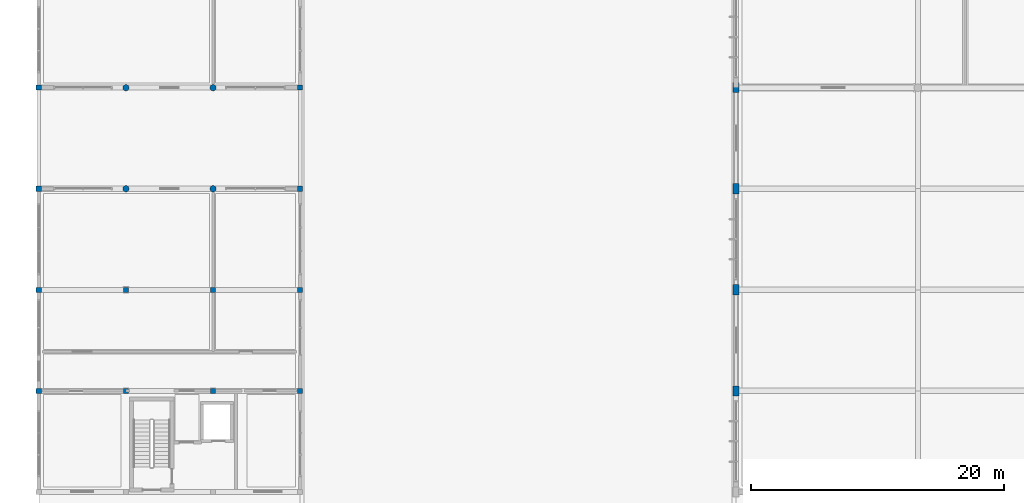
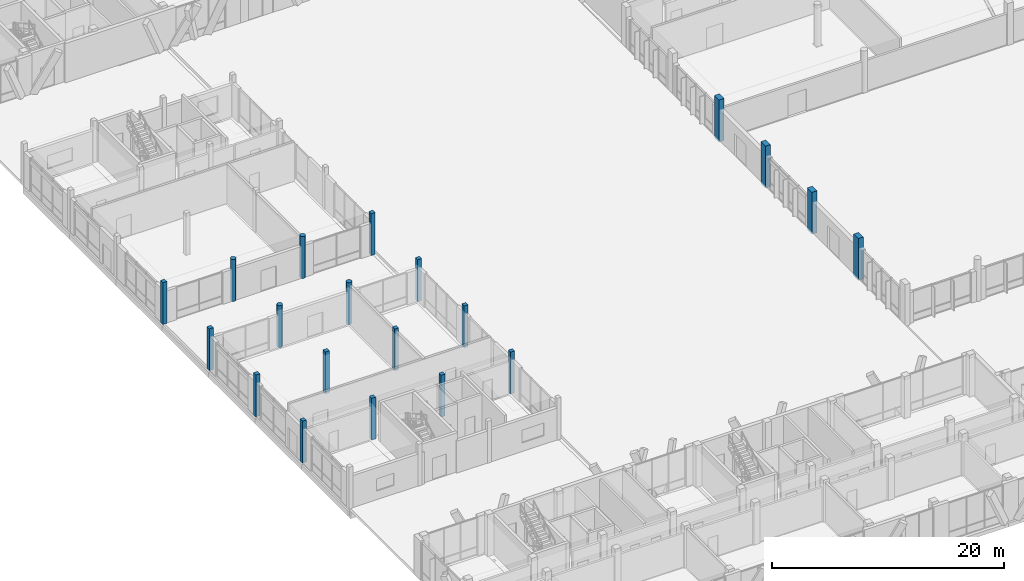
# One storey, part 3 of 233: 20 columns.
"""IFC4 building model written with IfcOpenShell, lengths in metres."""

from ifc_helpers import new_model, si_unit, direction, frame, origin, origin_2d, place, context, subcontext, project, spatial, rectangle, circle, extrude, material, material_profile, profile_set, type_object, element, save


model = new_model("IFC4")

# Units and contexts
model_context = context("Model", 3, precision=1e-05, world=origin(), true_north=direction((0.0, 1.0)))
body_context = subcontext(model_context, "Body", "Model", "MODEL_VIEW")
ifc_project = project(units=[si_unit("LENGTHUNIT", "METRE"), si_unit("AREAUNIT", "SQUARE_METRE"), si_unit("VOLUMEUNIT", "CUBIC_METRE"), si_unit("PLANEANGLEUNIT", "RADIAN"), si_unit("MASSUNIT", "GRAM", prefix="KILO")], contexts=[model_context])

# Site, building, storey
site_placement = place(None, origin())
site = spatial("IfcSite", under=ifc_project, at=site_placement, CompositionType="ELEMENT")
building_placement = place(site_placement, origin())
building = spatial("IfcBuilding", under=site, at=building_placement, Name="Zavelmont Quarter", CompositionType="ELEMENT")
storey_placement = place(building_placement, origin())
storey = spatial("IfcBuildingStorey", under=building, at=storey_placement, Name="L00", CompositionType="ELEMENT", Elevation=0.0)

# Columns
ifc_material_1 = material(Name="Concrete C35/45", Category="concrete")
ifc_material_profile_1 = material_profile(ifc_material_1, rectangle(XDim=0.39990234375, YDim=0.39990234375, at=origin_2d()), Name="RC400X400")
ifc_profile_set_1 = profile_set([ifc_material_profile_1], Name="Concrete C35/45")
column_type_1 = type_object("IfcColumnType", Name="CL05", PredefinedType="COLUMN", material=ifc_profile_set_1)
for number, where, z_axis, x_axis, name in (
    (1, (0.0, 38.0, 0.0), (0.0, 0.0, 1.0), (1.0, 0.0, 0.0), "L00 column CL05 at 1/G"),
    (2, (0.0, 46.0, 0.0), (0.0, 0.0, 1.0), (1.0, 0.0, 0.0), "L00 column CL05 at 1/H"),
    (3, (0.0, 54.0, 0.0), (0.0, 0.0, 1.0), (1.0, 0.0, 0.0), "L00 column CL05 at 1/J"),
    (4, (0.0, 62.0, 0.0), (0.0, 0.0, 1.0), (1.0, 0.0, 0.0), "L00 column CL05 at 1/K"),
    (5, (6.89990234375, 38.0, 0.0), (0.0, 0.0, 1.0), (1.0, 0.0, 0.0), "L00 column CL05 at 2/G"),
    (6, (6.89990234375, 46.0, 0.0), (0.0, 0.0, 1.0), (1.0, 0.0, 0.0), "L00 column CL05 at 2/H"),
    (7, (13.800048828125, 38.0, 0.0), (0.0, 0.0, 1.0), (1.0, 0.0, 0.0), "L00 column CL05 at 3/G"),
    (8, (13.800048828125, 46.0, 0.0), (0.0, 0.0, 1.0), (1.0, 0.0, 0.0), "L00 column CL05 at 3/H"),
    (9, (20.699951171875, 38.0, 0.0), (0.0, 0.0, 1.0), (1.0, 0.0, 0.0), "L00 column CL05 at 4/G"),
    (10, (20.699951171875, 46.0, 0.0), (0.0, 0.0, 1.0), (1.0, 0.0, 0.0), "L00 column CL05 at 4/H"),
    (11, (20.699951171875, 54.0, 0.0), (0.0, 0.0, 1.0), (1.0, 0.0, 0.0), "L00 column CL05 at 4/J"),
    (12, (20.699951171875, 62.0, 0.0), (0.0, 0.0, 1.0), (1.0, 0.0, 0.0), "L00 column CL05 at 4/K"),
):
    element("IfcColumn", number, at=place(storey_placement, frame(where, z_axis=z_axis, x_axis=x_axis)), inside=storey, type_object=column_type_1, Name=name, PredefinedType="COLUMN", context=body_context, shape_type="SweptSolid", body=[
        extrude(rectangle(XDim=0.39990234375, YDim=0.39990234375, at=origin_2d()), origin(), (0.0, 0.0, 1.0), 4.39990234375),
    ])
ifc_material_2 = material(Name="Concrete C40/50", Category="concrete")
ifc_material_profile_2 = material_profile(ifc_material_2, rectangle(XDim=0.5, YDim=0.800048828125, at=origin_2d()), Name="RC500X800")
ifc_profile_set_2 = profile_set([ifc_material_profile_2], Name="Concrete C40/50")
column_type_2 = type_object("IfcColumnType", Name="CL07", PredefinedType="COLUMN", material=ifc_profile_set_2)
for number, where, z_axis, x_axis, name in (
    (13, (55.199951171875, 38.0, 0.0), (0.0, 0.0, 1.0), (1.0, 0.0, 0.0), "L00 column CL07 at 9/G"),
    (14, (55.199951171875, 46.0, 0.0), (0.0, 0.0, 1.0), (1.0, 0.0, 0.0), "L00 column CL07 at 9/H"),
    (15, (55.199951171875, 54.0, 0.0), (0.0, 0.0, 1.0), (1.0, 0.0, 0.0), "L00 column CL07 at 9/J"),
    (16, (55.199951171875, 62.0, 0.0), (0.0, 0.0, 1.0), (1.0, 0.0, 0.0), "L00 column CL07 at 9/K"),
):
    element("IfcColumn", number, at=place(storey_placement, frame(where, z_axis=z_axis, x_axis=x_axis)), inside=storey, type_object=column_type_2, Name=name, PredefinedType="COLUMN", context=body_context, shape_type="SweptSolid", body=[
        extrude(rectangle(XDim=0.5, YDim=0.800048828125, at=origin_2d()), origin(), (0.0, 0.0, 1.0), 4.39990234375),
    ])
ifc_material_profile_3 = material_profile(ifc_material_1, circle(Radius=0.25, at=origin_2d()), Name="CHD500")
ifc_profile_set_3 = profile_set([ifc_material_profile_3], Name="Concrete C35/45")
column_type_3 = type_object("IfcColumnType", Name="CL09", PredefinedType="COLUMN", material=ifc_profile_set_3)
for number, where, z_axis, x_axis, name in (
    (17, (6.89990234375, 54.0, 0.0), (0.0, 0.0, 1.0), (1.0, 0.0, 0.0), "L00 column CL09 at 2/J"),
    (18, (6.89990234375, 62.0, 0.0), (0.0, 0.0, 1.0), (1.0, 0.0, 0.0), "L00 column CL09 at 2/K"),
    (19, (13.800048828125, 54.0, 0.0), (0.0, 0.0, 1.0), (1.0, 0.0, 0.0), "L00 column CL09 at 3/J"),
    (20, (13.800048828125, 62.0, 0.0), (0.0, 0.0, 1.0), (1.0, 0.0, 0.0), "L00 column CL09 at 3/K"),
):
    element("IfcColumn", number, at=place(storey_placement, frame(where, z_axis=z_axis, x_axis=x_axis)), inside=storey, type_object=column_type_3, Name=name, PredefinedType="COLUMN", context=body_context, shape_type="SweptSolid", body=[
        extrude(circle(Radius=0.25, at=origin_2d()), origin(), (0.0, 0.0, 1.0), 4.39990234375),
    ])

save(model, "model.ifc")
